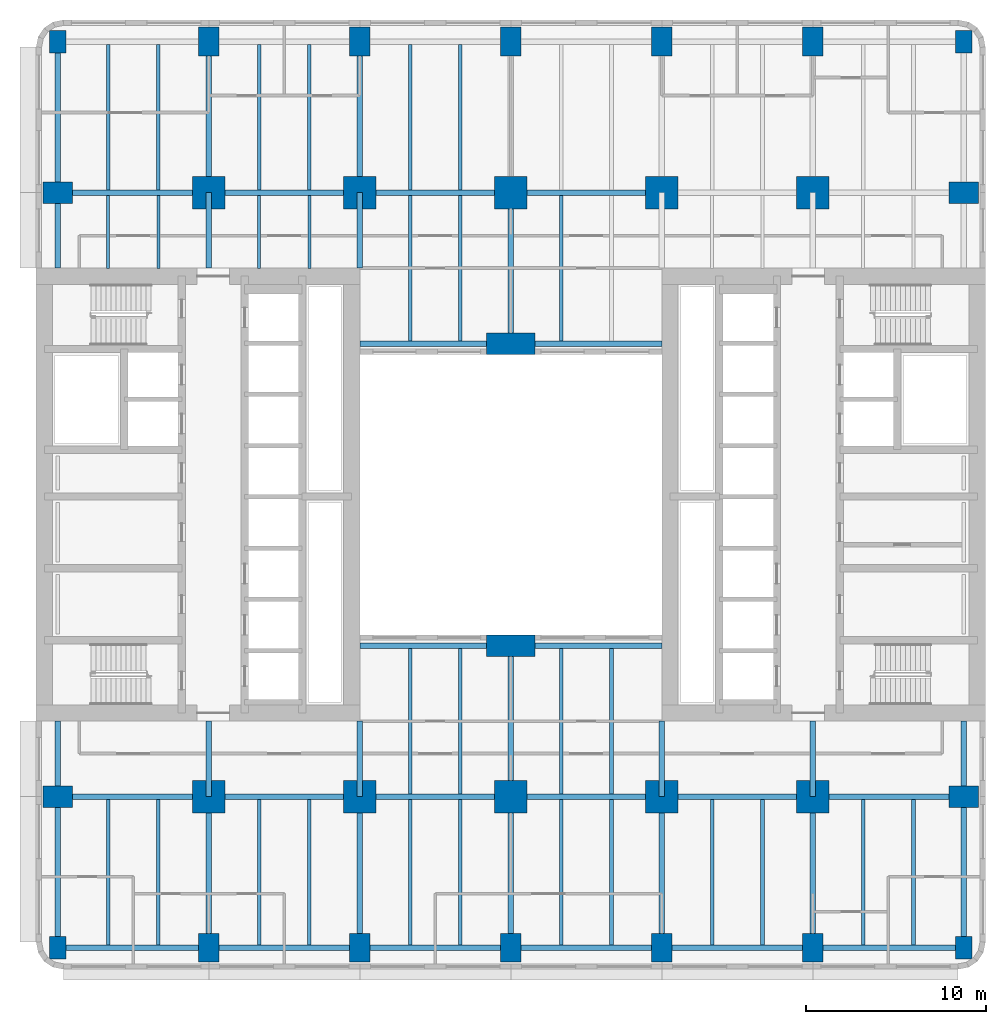
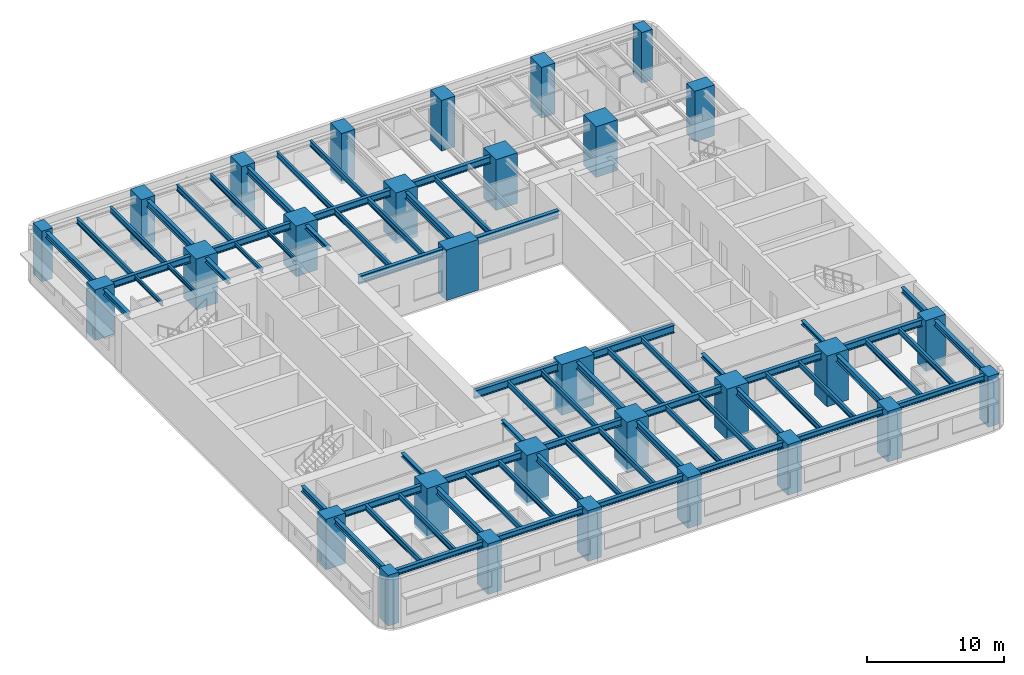
# One storey, part 1 of 12: 70 beams, 30 columns.
"""IFC4 building model written with IfcOpenShell, lengths in metres."""

from ifc_helpers import new_model, si_unit, direction, frame, origin, origin_2d, place, context, subcontext, project, spatial, rectangle, i_section, extrude, material, material_profile, profile_set, type_object, element, save


model = new_model("IFC4")

# Units and contexts
model_context = context("Model", 3, precision=1e-05, world=origin(), true_north=direction((0.0, 1.0)))
body_context = subcontext(model_context, "Body", "Model", "MODEL_VIEW")
ifc_project = project(units=[si_unit("LENGTHUNIT", "METRE"), si_unit("AREAUNIT", "SQUARE_METRE"), si_unit("VOLUMEUNIT", "CUBIC_METRE"), si_unit("PLANEANGLEUNIT", "RADIAN"), si_unit("MASSUNIT", "GRAM", prefix="KILO")], contexts=[model_context])

# Site, building, storey
site_placement = place(None, origin())
site = spatial("IfcSite", under=ifc_project, at=site_placement, CompositionType="ELEMENT")
building_placement = place(site_placement, origin())
building = spatial("IfcBuilding", under=site, at=building_placement, Name="Claustro Exchange Tower", CompositionType="ELEMENT")
storey_placement = place(building_placement, frame((0.0, 0.0, 45.89990234375)))
storey = spatial("IfcBuildingStorey", under=building, at=storey_placement, Name="L10", CompositionType="ELEMENT", Elevation=45.89990234375)

# Columns
ifc_material_1 = material(Name="Concrete HA-70 (C70/85)", Category="concrete")
ifc_material_profile_1 = material_profile(ifc_material_1, rectangle(XDim=1.800048828125, YDim=1.800048828125, at=origin_2d()), Name="RC 1800x1800")
ifc_profile_set_1 = profile_set([ifc_material_profile_1], Name="Concrete HA-70 (C70/85)")
column_type_1 = type_object("IfcColumnType", Name="C14 RC 1800x1800 HA-70 column", PredefinedType="COLUMN", material=ifc_profile_set_1)
for number, where, z_axis, x_axis, name in (
    (1, (8.39990234375, 8.39990234375, 0.0), (0.0, 0.0, 1.0), (1.0, 0.0, 0.0), "Column C14 2/B L10"),
    (2, (8.39990234375, 42.0, 0.0), (0.0, 0.0, 1.0), (1.0, 0.0, 0.0), "Column C14 2/F L10"),
    (3, (16.800048828125, 8.39990234375, 0.0), (0.0, 0.0, 1.0), (1.0, 0.0, 0.0), "Column C14 3/B L10"),
    (4, (16.800048828125, 42.0, 0.0), (0.0, 0.0, 1.0), (1.0, 0.0, 0.0), "Column C14 3/F L10"),
    (5, (25.199951171875, 8.39990234375, 0.0), (0.0, 0.0, 1.0), (1.0, 0.0, 0.0), "Column C14 4/B L10"),
    (6, (25.199951171875, 42.0, 0.0), (0.0, 0.0, 1.0), (1.0, 0.0, 0.0), "Column C14 4/F L10"),
    (7, (33.60009765625, 8.39990234375, 0.0), (0.0, 0.0, 1.0), (1.0, 0.0, 0.0), "Column C14 5/B L10"),
    (8, (33.60009765625, 42.0, 0.0), (0.0, 0.0, 1.0), (1.0, 0.0, 0.0), "Column C14 5/F L10"),
    (9, (42.0, 8.39990234375, 0.0), (0.0, 0.0, 1.0), (1.0, 0.0, 0.0), "Column C14 6/B L10"),
    (10, (42.0, 42.0, 0.0), (0.0, 0.0, 1.0), (1.0, 0.0, 0.0), "Column C14 6/F L10"),
):
    element("IfcColumn", number, at=place(storey_placement, frame(where, z_axis=z_axis, x_axis=x_axis)), inside=storey, type_object=column_type_1, Name=name, PredefinedType="COLUMN", context=body_context, shape_type="SweptSolid", body=[
        extrude(rectangle(XDim=1.800048828125, YDim=1.800048828125, at=origin_2d()), origin(), (0.0, 0.0, 1.0), 4.5),
    ])
ifc_material_2 = material(Name="Concrete HA-70 (C70/85)", Category="concrete")
ifc_material_profile_2 = material_profile(ifc_material_2, rectangle(XDim=1.199951171875, YDim=1.64990234375, at=origin_2d()), Name="RC 1200x1650")
ifc_profile_set_2 = profile_set([ifc_material_profile_2], Name="Concrete HA-70 (C70/85)")
column_type_2 = type_object("IfcColumnType", Name="C19 RC 1200x1650 HA-70 perimeter column", PredefinedType="COLUMN", material=ifc_profile_set_2)
for number, where, z_axis, x_axis, name in (
    (11, (0.0, 8.39990234375, 0.0), (0.0, 0.0, 1.0), (0.0, 1.0, 0.0), "Column C19 1/B L10"),
    (12, (0.0, 42.0, 0.0), (0.0, 0.0, 1.0), (0.0, 1.0, 0.0), "Column C19 1/F L10"),
    (13, (50.39990234375, 8.39990234375, 0.0), (0.0, 0.0, 1.0), (0.0, 1.0, 0.0), "Column C19 7/B L10"),
    (14, (50.39990234375, 42.0, 0.0), (0.0, 0.0, 1.0), (0.0, 1.0, 0.0), "Column C19 7/F L10"),
):
    element("IfcColumn", number, at=place(storey_placement, frame(where, z_axis=z_axis, x_axis=x_axis)), inside=storey, type_object=column_type_2, Name=name, PredefinedType="COLUMN", context=body_context, shape_type="SweptSolid", body=[
        extrude(rectangle(XDim=1.199951171875, YDim=1.64990234375, at=origin_2d()), origin(), (0.0, 0.0, 1.0), 4.5),
    ])
ifc_material_3 = material(Name="Concrete HA-70 (C70/85)", Category="concrete")
ifc_material_profile_3 = material_profile(ifc_material_3, rectangle(XDim=1.14990234375, YDim=1.60009765625, at=origin_2d()), Name="RC 1150x1600")
ifc_profile_set_3 = profile_set([ifc_material_profile_3], Name="Concrete HA-70 (C70/85)")
column_type_3 = type_object("IfcColumnType", Name="C20 RC 1150x1600 HA-70 perimeter column", PredefinedType="COLUMN", material=ifc_profile_set_3)
for number, where, z_axis, x_axis, name in (
    (15, (8.39990234375, 0.0, 0.0), (0.0, 0.0, 1.0), (1.0, 0.0, 0.0), "Column C20 2/A L10"),
    (16, (8.39990234375, 50.39990234375, 0.0), (0.0, 0.0, 1.0), (1.0, 0.0, 0.0), "Column C20 2/G L10"),
    (17, (16.800048828125, 0.0, 0.0), (0.0, 0.0, 1.0), (1.0, 0.0, 0.0), "Column C20 3/A L10"),
    (18, (16.800048828125, 50.39990234375, 0.0), (0.0, 0.0, 1.0), (1.0, 0.0, 0.0), "Column C20 3/G L10"),
    (19, (25.199951171875, 0.0, 0.0), (0.0, 0.0, 1.0), (1.0, 0.0, 0.0), "Column C20 4/A L10"),
    (20, (25.199951171875, 50.39990234375, 0.0), (0.0, 0.0, 1.0), (1.0, 0.0, 0.0), "Column C20 4/G L10"),
    (21, (33.60009765625, 0.0, 0.0), (0.0, 0.0, 1.0), (1.0, 0.0, 0.0), "Column C20 5/A L10"),
    (22, (33.60009765625, 50.39990234375, 0.0), (0.0, 0.0, 1.0), (1.0, 0.0, 0.0), "Column C20 5/G L10"),
    (23, (42.0, 0.0, 0.0), (0.0, 0.0, 1.0), (1.0, 0.0, 0.0), "Column C20 6/A L10"),
    (24, (42.0, 50.39990234375, 0.0), (0.0, 0.0, 1.0), (1.0, 0.0, 0.0), "Column C20 6/G L10"),
):
    element("IfcColumn", number, at=place(storey_placement, frame(where, z_axis=z_axis, x_axis=x_axis)), inside=storey, type_object=column_type_3, Name=name, PredefinedType="COLUMN", context=body_context, shape_type="SweptSolid", body=[
        extrude(rectangle(XDim=1.14990234375, YDim=1.60009765625, at=origin_2d()), origin(), (0.0, 0.0, 1.0), 4.5),
    ])
ifc_material_4 = material(Name="Concrete HA-70 (C70/85)", Category="concrete")
ifc_material_profile_4 = material_profile(ifc_material_4, rectangle(XDim=2.699951171875, YDim=1.199951171875, at=origin_2d()), Name="RC 2700x1200")
ifc_profile_set_4 = profile_set([ifc_material_profile_4], Name="Concrete HA-70 (C70/85)")
column_type_4 = type_object("IfcColumnType", Name="C30 RC 2700x1200 HA-70 light well column", PredefinedType="COLUMN", material=ifc_profile_set_4)
for number, where, z_axis, x_axis, name in (
    (25, (25.199951171875, 16.800048828125, 0.0), (0.0, 0.0, 1.0), (1.0, 0.0, 0.0), "Column C30 4/C L10"),
    (26, (25.199951171875, 33.60009765625, 0.0), (0.0, 0.0, 1.0), (1.0, 0.0, 0.0), "Column C30 4/E L10"),
):
    element("IfcColumn", number, at=place(storey_placement, frame(where, z_axis=z_axis, x_axis=x_axis)), inside=storey, type_object=column_type_4, Name=name, PredefinedType="COLUMN", context=body_context, shape_type="SweptSolid", body=[
        extrude(rectangle(XDim=2.699951171875, YDim=1.199951171875, at=origin_2d()), origin(), (0.0, 0.0, 1.0), 4.5),
    ])
ifc_material_5 = material(Name="Concrete HA-70 (C70/85)", Category="concrete")
ifc_material_profile_5 = material_profile(ifc_material_5, rectangle(XDim=0.89990234375, YDim=1.25, at=origin_2d()), Name="RC 900x1250")
ifc_profile_set_5 = profile_set([ifc_material_profile_5], Name="Concrete HA-70 (C70/85)")
column_type_5 = type_object("IfcColumnType", Name="C35 RC 900x1250 HA-70 corner column", PredefinedType="COLUMN", material=ifc_profile_set_5)
for number, where, z_axis, x_axis, name in (
    (27, (0.0, 0.0, 0.0), (0.0, 0.0, 1.0), (1.0, 0.0, 0.0), "Column C35 1/A L10"),
    (28, (0.0, 50.39990234375, 0.0), (0.0, 0.0, 1.0), (1.0, 0.0, 0.0), "Column C35 1/G L10"),
    (29, (50.39990234375, 0.0, 0.0), (0.0, 0.0, 1.0), (1.0, 0.0, 0.0), "Column C35 7/A L10"),
    (30, (50.39990234375, 50.39990234375, 0.0), (0.0, 0.0, 1.0), (1.0, 0.0, 0.0), "Column C35 7/G L10"),
):
    element("IfcColumn", number, at=place(storey_placement, frame(where, z_axis=z_axis, x_axis=x_axis)), inside=storey, type_object=column_type_5, Name=name, PredefinedType="COLUMN", context=body_context, shape_type="SweptSolid", body=[
        extrude(rectangle(XDim=0.89990234375, YDim=1.25, at=origin_2d()), origin(), (0.0, 0.0, 1.0), 4.5),
    ])

# Beams
ifc_material_6 = material(Name="Steel S355", Category="steel")
ifc_material_profile_6 = material_profile(ifc_material_6, i_section(OverallWidth=0.300048828125, OverallDepth=0.60009765625, WebThickness=0.015380859375, FlangeThickness=0.030029296875, FilletRadius=0.027099609375, at=origin_2d()), Name="HE 600 B")
ifc_profile_set_6 = profile_set([ifc_material_profile_6], Name="Steel S355")
beam_type_1 = type_object("IfcBeamType", Name="B1 HE 600 B floor girder", PredefinedType="BEAM", material=ifc_profile_set_6)
for number, where, z_axis, x_axis, name in (
    (31, (8.39990234375, 0.0, 4.0400390625), (0.0, 1.0, 0.0), (-1.0, 0.0, 0.0), "Beam B1 L11"),
    (32, (8.39990234375, 42.0, 4.0400390625), (0.0, 1.0, 0.0), (-1.0, 0.0, 0.0), "Beam B1 L11"),
    (33, (16.800048828125, 0.0, 4.0400390625), (0.0, 1.0, 0.0), (-1.0, 0.0, 0.0), "Beam B1 L11"),
    (34, (16.800048828125, 42.0, 4.0400390625), (0.0, 1.0, 0.0), (-1.0, 0.0, 0.0), "Beam B1 L11"),
    (35, (25.199951171875, 0.0, 4.0400390625), (0.0, 1.0, 0.0), (-1.0, 0.0, 0.0), "Beam B1 L11"),
):
    element("IfcBeam", number, at=place(storey_placement, frame(where, z_axis=z_axis, x_axis=x_axis)), inside=storey, type_object=beam_type_1, Name=name, PredefinedType="BEAM", context=body_context, shape_type="SweptSolid", body=[
        extrude(i_section(OverallWidth=0.300048828125, OverallDepth=0.60009765625, WebThickness=0.015380859375, FlangeThickness=0.030029296875, FilletRadius=0.027099609375, at=origin_2d()), origin(), (0.0, 0.0, 1.0), 8.39990234375),
    ])
beam_1_placement = place(storey_placement, frame((25.199951171875, 8.39990234375, 4.0400390625), z_axis=(0.0, 1.0, 0.0), x_axis=(-1.0, 0.0, 0.0)))
element("IfcBeam", 36, at=beam_1_placement, inside=storey, type_object=beam_type_1, Name="Beam B1 L11", PredefinedType="BEAM", context=body_context, shape_type="SweptSolid", body=[
    extrude(i_section(OverallWidth=0.300048828125, OverallDepth=0.60009765625, WebThickness=0.015380859375, FlangeThickness=0.030029296875, FilletRadius=0.027099609375, at=origin_2d()), origin(), (0.0, 0.0, 1.0), 8.400146484375),
])
for number, where, z_axis, x_axis, name in (
    (37, (25.199951171875, 33.60009765625, 4.0400390625), (0.0, 1.0, 0.0), (-1.0, 0.0, 0.0), "Beam B1 L11"),
    (38, (33.60009765625, 0.0, 4.0400390625), (0.0, 1.0, 0.0), (-1.0, 0.0, 0.0), "Beam B1 L11"),
    (39, (42.0, 0.0, 4.0400390625), (0.0, 1.0, 0.0), (-1.0, 0.0, 0.0), "Beam B1 L11"),
    (40, (0.0, 8.39990234375, 4.0400390625), (1.0, 0.0, 0.0), (0.0, 1.0, 0.0), "Beam B1 L11"),
):
    element("IfcBeam", number, at=place(storey_placement, frame(where, z_axis=z_axis, x_axis=x_axis)), inside=storey, type_object=beam_type_1, Name=name, PredefinedType="BEAM", context=body_context, shape_type="SweptSolid", body=[
        extrude(i_section(OverallWidth=0.300048828125, OverallDepth=0.60009765625, WebThickness=0.015380859375, FlangeThickness=0.030029296875, FilletRadius=0.027099609375, at=origin_2d()), origin(), (0.0, 0.0, 1.0), 8.39990234375),
    ])
beam_2_placement = place(storey_placement, frame((8.39990234375, 8.39990234375, 4.0400390625), z_axis=(1.0, 0.0, 0.0), x_axis=(0.0, 1.0, 0.0)))
element("IfcBeam", 41, at=beam_2_placement, inside=storey, type_object=beam_type_1, Name="Beam B1 L11", PredefinedType="BEAM", context=body_context, shape_type="SweptSolid", body=[
    extrude(i_section(OverallWidth=0.300048828125, OverallDepth=0.60009765625, WebThickness=0.015380859375, FlangeThickness=0.030029296875, FilletRadius=0.027099609375, at=origin_2d()), origin(), (0.0, 0.0, 1.0), 8.400146484375),
])
beam_3_placement = place(storey_placement, frame((16.800048828125, 8.39990234375, 4.0400390625), z_axis=(1.0, 0.0, 0.0), x_axis=(0.0, 1.0, 0.0)))
element("IfcBeam", 42, at=beam_3_placement, inside=storey, type_object=beam_type_1, Name="Beam B1 L11", PredefinedType="BEAM", context=body_context, shape_type="SweptSolid", body=[
    extrude(i_section(OverallWidth=0.300048828125, OverallDepth=0.60009765625, WebThickness=0.015380859375, FlangeThickness=0.030029296875, FilletRadius=0.027099609375, at=origin_2d()), origin(), (0.0, 0.0, 1.0), 8.39990234375),
])
beam_4_placement = place(storey_placement, frame((25.199951171875, 8.39990234375, 4.0400390625), z_axis=(1.0, 0.0, 0.0), x_axis=(0.0, 1.0, 0.0)))
element("IfcBeam", 43, at=beam_4_placement, inside=storey, type_object=beam_type_1, Name="Beam B1 L11", PredefinedType="BEAM", context=body_context, shape_type="SweptSolid", body=[
    extrude(i_section(OverallWidth=0.300048828125, OverallDepth=0.60009765625, WebThickness=0.015380859375, FlangeThickness=0.030029296875, FilletRadius=0.027099609375, at=origin_2d()), origin(), (0.0, 0.0, 1.0), 8.400146484375),
])
for number, where, z_axis, x_axis, name in (
    (44, (33.60009765625, 8.39990234375, 4.0400390625), (1.0, 0.0, 0.0), (0.0, 1.0, 0.0), "Beam B1 L11"),
    (45, (42.0, 8.39990234375, 4.0400390625), (1.0, 0.0, 0.0), (0.0, 1.0, 0.0), "Beam B1 L11"),
    (46, (0.0, 42.0, 4.0400390625), (1.0, 0.0, 0.0), (0.0, 1.0, 0.0), "Beam B1 L11"),
):
    element("IfcBeam", number, at=place(storey_placement, frame(where, z_axis=z_axis, x_axis=x_axis)), inside=storey, type_object=beam_type_1, Name=name, PredefinedType="BEAM", context=body_context, shape_type="SweptSolid", body=[
        extrude(i_section(OverallWidth=0.300048828125, OverallDepth=0.60009765625, WebThickness=0.015380859375, FlangeThickness=0.030029296875, FilletRadius=0.027099609375, at=origin_2d()), origin(), (0.0, 0.0, 1.0), 8.39990234375),
    ])
beam_5_placement = place(storey_placement, frame((8.39990234375, 42.0, 4.0400390625), z_axis=(1.0, 0.0, 0.0), x_axis=(0.0, 1.0, 0.0)))
element("IfcBeam", 47, at=beam_5_placement, inside=storey, type_object=beam_type_1, Name="Beam B1 L11", PredefinedType="BEAM", context=body_context, shape_type="SweptSolid", body=[
    extrude(i_section(OverallWidth=0.300048828125, OverallDepth=0.60009765625, WebThickness=0.015380859375, FlangeThickness=0.030029296875, FilletRadius=0.027099609375, at=origin_2d()), origin(), (0.0, 0.0, 1.0), 8.400146484375),
])
beam_6_placement = place(storey_placement, frame((16.800048828125, 42.0, 4.0400390625), z_axis=(1.0, 0.0, 0.0), x_axis=(0.0, 1.0, 0.0)))
element("IfcBeam", 48, at=beam_6_placement, inside=storey, type_object=beam_type_1, Name="Beam B1 L11", PredefinedType="BEAM", context=body_context, shape_type="SweptSolid", body=[
    extrude(i_section(OverallWidth=0.300048828125, OverallDepth=0.60009765625, WebThickness=0.015380859375, FlangeThickness=0.030029296875, FilletRadius=0.027099609375, at=origin_2d()), origin(), (0.0, 0.0, 1.0), 8.39990234375),
])
beam_7_placement = place(storey_placement, frame((25.199951171875, 42.0, 4.0400390625), z_axis=(1.0, 0.0, 0.0), x_axis=(0.0, 1.0, 0.0)))
element("IfcBeam", 49, at=beam_7_placement, inside=storey, type_object=beam_type_1, Name="Beam B1 L11", PredefinedType="BEAM", context=body_context, shape_type="SweptSolid", body=[
    extrude(i_section(OverallWidth=0.300048828125, OverallDepth=0.60009765625, WebThickness=0.015380859375, FlangeThickness=0.030029296875, FilletRadius=0.027099609375, at=origin_2d()), origin(), (0.0, 0.0, 1.0), 8.400146484375),
])
ifc_material_7 = material(Name="Steel S355", Category="steel")
ifc_material_profile_7 = material_profile(ifc_material_7, i_section(OverallWidth=0.300048828125, OverallDepth=0.68994140625, WebThickness=0.014404296875, FlangeThickness=0.027099609375, FilletRadius=0.027099609375, at=origin_2d()), Name="HE 700 A")
ifc_profile_set_7 = profile_set([ifc_material_profile_7], Name="Steel S355")
beam_type_2 = type_object("IfcBeamType", Name="B13 HE 700 A light well edge girder", PredefinedType="BEAM", material=ifc_profile_set_7)
beam_8_placement = place(storey_placement, frame((16.800048828125, 16.800048828125, 3.9951171875), z_axis=(1.0, 0.0, 0.0), x_axis=(0.0, 1.0, 0.0)))
element("IfcBeam", 50, at=beam_8_placement, inside=storey, type_object=beam_type_2, Name="Beam B13 L11", PredefinedType="BEAM", context=body_context, shape_type="SweptSolid", body=[
    extrude(i_section(OverallWidth=0.300048828125, OverallDepth=0.68994140625, WebThickness=0.014404296875, FlangeThickness=0.027099609375, FilletRadius=0.027099609375, at=origin_2d()), origin(), (0.0, 0.0, 1.0), 8.39990234375),
])
beam_9_placement = place(storey_placement, frame((25.199951171875, 16.800048828125, 3.9951171875), z_axis=(1.0, 0.0, 0.0), x_axis=(0.0, 1.0, 0.0)))
element("IfcBeam", 51, at=beam_9_placement, inside=storey, type_object=beam_type_2, Name="Beam B13 L11", PredefinedType="BEAM", context=body_context, shape_type="SweptSolid", body=[
    extrude(i_section(OverallWidth=0.300048828125, OverallDepth=0.68994140625, WebThickness=0.014404296875, FlangeThickness=0.027099609375, FilletRadius=0.027099609375, at=origin_2d()), origin(), (0.0, 0.0, 1.0), 8.400146484375),
])
beam_10_placement = place(storey_placement, frame((16.800048828125, 33.60009765625, 3.9951171875), z_axis=(1.0, 0.0, 0.0), x_axis=(0.0, 1.0, 0.0)))
element("IfcBeam", 52, at=beam_10_placement, inside=storey, type_object=beam_type_2, Name="Beam B13 L11", PredefinedType="BEAM", context=body_context, shape_type="SweptSolid", body=[
    extrude(i_section(OverallWidth=0.300048828125, OverallDepth=0.68994140625, WebThickness=0.014404296875, FlangeThickness=0.027099609375, FilletRadius=0.027099609375, at=origin_2d()), origin(), (0.0, 0.0, 1.0), 8.39990234375),
])
beam_11_placement = place(storey_placement, frame((25.199951171875, 33.60009765625, 3.9951171875), z_axis=(1.0, 0.0, 0.0), x_axis=(0.0, 1.0, 0.0)))
element("IfcBeam", 53, at=beam_11_placement, inside=storey, type_object=beam_type_2, Name="Beam B13 L11", PredefinedType="BEAM", context=body_context, shape_type="SweptSolid", body=[
    extrude(i_section(OverallWidth=0.300048828125, OverallDepth=0.68994140625, WebThickness=0.014404296875, FlangeThickness=0.027099609375, FilletRadius=0.027099609375, at=origin_2d()), origin(), (0.0, 0.0, 1.0), 8.400146484375),
])
ifc_material_8 = material(Name="Steel S355", Category="steel")
ifc_material_profile_8 = material_profile(ifc_material_8, i_section(OverallWidth=0.169921875, OverallDepth=0.360107421875, WebThickness=0.008056640625, FlangeThickness=0.0126953125, FilletRadius=0.01806640625, at=origin_2d()), Name="IPE 360")
ifc_profile_set_8 = profile_set([ifc_material_profile_8], Name="Steel S355")
beam_type_3 = type_object("IfcBeamType", Name="B16 IPE 360 short-span beam", PredefinedType="BEAM", material=ifc_profile_set_8)
for number, where, z_axis, x_axis, name in (
    (54, (2.800048828125, 37.7900390625, 4.16015625), (0.0, 1.0, 0.0), (-1.0, 0.0, 0.0), "Beam B16 L11"),
    (55, (5.60009765625, 37.7900390625, 4.16015625), (0.0, 1.0, 0.0), (-1.0, 0.0, 0.0), "Beam B16 L11"),
    (56, (11.199951171875, 37.7900390625, 4.16015625), (0.0, 1.0, 0.0), (-1.0, 0.0, 0.0), "Beam B16 L11"),
    (57, (14.0, 37.7900390625, 4.16015625), (0.0, 1.0, 0.0), (-1.0, 0.0, 0.0), "Beam B16 L11"),
):
    element("IfcBeam", number, at=place(storey_placement, frame(where, z_axis=z_axis, x_axis=x_axis)), inside=storey, type_object=beam_type_3, Name=name, PredefinedType="BEAM", context=body_context, shape_type="SweptSolid", body=[
        extrude(i_section(OverallWidth=0.169921875, OverallDepth=0.360107421875, WebThickness=0.008056640625, FlangeThickness=0.0126953125, FilletRadius=0.01806640625, at=origin_2d()), origin(), (0.0, 0.0, 1.0), 4.06005859375),
    ])
ifc_material_9 = material(Name="Steel S355", Category="steel")
ifc_material_profile_9 = material_profile(ifc_material_9, i_section(OverallWidth=0.199951171875, OverallDepth=0.5, WebThickness=0.01025390625, FlangeThickness=0.01611328125, FilletRadius=0.02099609375, at=origin_2d()), Name="IPE 500")
ifc_profile_set_9 = profile_set([ifc_material_profile_9], Name="Steel S355")
beam_type_4 = type_object("IfcBeamType", Name="B2 IPE 500 secondary beam", PredefinedType="BEAM", material=ifc_profile_set_9)
for number, where, z_axis, x_axis, name in (
    (58, (2.800048828125, 0.14990234375, 4.090087890625), (0.0, 1.0, 0.0), (-1.0, 0.0, 0.0), "Beam B2 L11"),
    (59, (5.60009765625, 0.14990234375, 4.090087890625), (0.0, 1.0, 0.0), (-1.0, 0.0, 0.0), "Beam B2 L11"),
    (60, (2.800048828125, 42.14990234375, 4.090087890625), (0.0, 1.0, 0.0), (-1.0, 0.0, 0.0), "Beam B2 L11"),
    (61, (5.60009765625, 42.14990234375, 4.090087890625), (0.0, 1.0, 0.0), (-1.0, 0.0, 0.0), "Beam B2 L11"),
    (62, (11.199951171875, 0.14990234375, 4.090087890625), (0.0, 1.0, 0.0), (-1.0, 0.0, 0.0), "Beam B2 L11"),
    (63, (14.0, 0.14990234375, 4.090087890625), (0.0, 1.0, 0.0), (-1.0, 0.0, 0.0), "Beam B2 L11"),
    (64, (11.199951171875, 42.14990234375, 4.090087890625), (0.0, 1.0, 0.0), (-1.0, 0.0, 0.0), "Beam B2 L11"),
    (65, (14.0, 42.14990234375, 4.090087890625), (0.0, 1.0, 0.0), (-1.0, 0.0, 0.0), "Beam B2 L11"),
    (66, (19.60009765625, 0.14990234375, 4.090087890625), (0.0, 1.0, 0.0), (-1.0, 0.0, 0.0), "Beam B2 L11"),
    (67, (22.39990234375, 0.14990234375, 4.090087890625), (0.0, 1.0, 0.0), (-1.0, 0.0, 0.0), "Beam B2 L11"),
):
    element("IfcBeam", number, at=place(storey_placement, frame(where, z_axis=z_axis, x_axis=x_axis)), inside=storey, type_object=beam_type_4, Name=name, PredefinedType="BEAM", context=body_context, shape_type="SweptSolid", body=[
        extrude(i_section(OverallWidth=0.199951171875, OverallDepth=0.5, WebThickness=0.01025390625, FlangeThickness=0.01611328125, FilletRadius=0.02099609375, at=origin_2d()), origin(), (0.0, 0.0, 1.0), 8.10009765625),
    ])
for number, where, z_axis, x_axis, name in (
    (68, (19.60009765625, 8.550048828125, 4.090087890625), (0.0, 1.0, 0.0), (-1.0, 0.0, 0.0), "Beam B2 L11"),
    (69, (22.39990234375, 8.550048828125, 4.090087890625), (0.0, 1.0, 0.0), (-1.0, 0.0, 0.0), "Beam B2 L11"),
):
    element("IfcBeam", number, at=place(storey_placement, frame(where, z_axis=z_axis, x_axis=x_axis)), inside=storey, type_object=beam_type_4, Name=name, PredefinedType="BEAM", context=body_context, shape_type="SweptSolid", body=[
        extrude(i_section(OverallWidth=0.199951171875, OverallDepth=0.5, WebThickness=0.01025390625, FlangeThickness=0.01611328125, FilletRadius=0.02099609375, at=origin_2d()), origin(), (0.0, 0.0, 1.0), 8.099853515625),
    ])
for number, where, z_axis, x_axis, name in (
    (70, (19.60009765625, 33.75, 4.090087890625), (0.0, 1.0, 0.0), (-1.0, 0.0, 0.0), "Beam B2 L11"),
    (71, (22.39990234375, 33.75, 4.090087890625), (0.0, 1.0, 0.0), (-1.0, 0.0, 0.0), "Beam B2 L11"),
    (72, (19.60009765625, 42.14990234375, 4.090087890625), (0.0, 1.0, 0.0), (-1.0, 0.0, 0.0), "Beam B2 L11"),
    (73, (22.39990234375, 42.14990234375, 4.090087890625), (0.0, 1.0, 0.0), (-1.0, 0.0, 0.0), "Beam B2 L11"),
    (74, (28.0, 0.14990234375, 4.090087890625), (0.0, 1.0, 0.0), (-1.0, 0.0, 0.0), "Beam B2 L11"),
    (75, (30.800048828125, 0.14990234375, 4.090087890625), (0.0, 1.0, 0.0), (-1.0, 0.0, 0.0), "Beam B2 L11"),
):
    element("IfcBeam", number, at=place(storey_placement, frame(where, z_axis=z_axis, x_axis=x_axis)), inside=storey, type_object=beam_type_4, Name=name, PredefinedType="BEAM", context=body_context, shape_type="SweptSolid", body=[
        extrude(i_section(OverallWidth=0.199951171875, OverallDepth=0.5, WebThickness=0.01025390625, FlangeThickness=0.01611328125, FilletRadius=0.02099609375, at=origin_2d()), origin(), (0.0, 0.0, 1.0), 8.10009765625),
    ])
for number, where, z_axis, x_axis, name in (
    (76, (28.0, 8.550048828125, 4.090087890625), (0.0, 1.0, 0.0), (-1.0, 0.0, 0.0), "Beam B2 L11"),
    (77, (30.800048828125, 8.550048828125, 4.090087890625), (0.0, 1.0, 0.0), (-1.0, 0.0, 0.0), "Beam B2 L11"),
):
    element("IfcBeam", number, at=place(storey_placement, frame(where, z_axis=z_axis, x_axis=x_axis)), inside=storey, type_object=beam_type_4, Name=name, PredefinedType="BEAM", context=body_context, shape_type="SweptSolid", body=[
        extrude(i_section(OverallWidth=0.199951171875, OverallDepth=0.5, WebThickness=0.01025390625, FlangeThickness=0.01611328125, FilletRadius=0.02099609375, at=origin_2d()), origin(), (0.0, 0.0, 1.0), 8.099853515625),
    ])
for number, where, z_axis, x_axis, name in (
    (78, (28.0, 33.75, 4.090087890625), (0.0, 1.0, 0.0), (-1.0, 0.0, 0.0), "Beam B2 L11"),
    (79, (36.39990234375, 0.14990234375, 4.090087890625), (0.0, 1.0, 0.0), (-1.0, 0.0, 0.0), "Beam B2 L11"),
    (80, (39.199951171875, 0.14990234375, 4.090087890625), (0.0, 1.0, 0.0), (-1.0, 0.0, 0.0), "Beam B2 L11"),
    (81, (44.800048828125, 0.14990234375, 4.090087890625), (0.0, 1.0, 0.0), (-1.0, 0.0, 0.0), "Beam B2 L11"),
    (82, (47.60009765625, 0.14990234375, 4.090087890625), (0.0, 1.0, 0.0), (-1.0, 0.0, 0.0), "Beam B2 L11"),
):
    element("IfcBeam", number, at=place(storey_placement, frame(where, z_axis=z_axis, x_axis=x_axis)), inside=storey, type_object=beam_type_4, Name=name, PredefinedType="BEAM", context=body_context, shape_type="SweptSolid", body=[
        extrude(i_section(OverallWidth=0.199951171875, OverallDepth=0.5, WebThickness=0.01025390625, FlangeThickness=0.01611328125, FilletRadius=0.02099609375, at=origin_2d()), origin(), (0.0, 0.0, 1.0), 8.10009765625),
    ])
ifc_material_10 = material(Name="Steel S355", Category="steel")
ifc_material_profile_10 = material_profile(ifc_material_10, i_section(OverallWidth=0.300048828125, OverallDepth=0.360107421875, WebThickness=0.012451171875, FlangeThickness=0.0224609375, FilletRadius=0.027099609375, at=origin_2d()), Name="HE 360 B")
ifc_profile_set_10 = profile_set([ifc_material_profile_10], Name="Steel S355")
beam_type_5 = type_object("IfcBeamType", Name="B29 HE 360 B column to core link beam", PredefinedType="BEAM", material=ifc_profile_set_10)
beam_12_placement = place(storey_placement, frame((8.39990234375, 8.39990234375, 4.16015625), z_axis=(0.0, 1.0, 0.0), x_axis=(-1.0, 0.0, 0.0)))
element("IfcBeam", 83, at=beam_12_placement, inside=storey, type_object=beam_type_5, Name="Beam B29 L11", PredefinedType="BEAM", context=body_context, shape_type="SweptSolid", body=[
    extrude(i_section(OverallWidth=0.300048828125, OverallDepth=0.360107421875, WebThickness=0.012451171875, FlangeThickness=0.0224609375, FilletRadius=0.027099609375, at=origin_2d()), origin(), (0.0, 0.0, 1.0), 4.2001953125),
])
beam_13_placement = place(storey_placement, frame((8.39990234375, 37.800048828125, 4.16015625), z_axis=(0.0, 1.0, 0.0), x_axis=(-1.0, 0.0, 0.0)))
element("IfcBeam", 84, at=beam_13_placement, inside=storey, type_object=beam_type_5, Name="Beam B29 L11", PredefinedType="BEAM", context=body_context, shape_type="SweptSolid", body=[
    extrude(i_section(OverallWidth=0.300048828125, OverallDepth=0.360107421875, WebThickness=0.012451171875, FlangeThickness=0.0224609375, FilletRadius=0.027099609375, at=origin_2d()), origin(), (0.0, 0.0, 1.0), 4.199951171875),
])
beam_14_placement = place(storey_placement, frame((16.800048828125, 8.39990234375, 4.16015625), z_axis=(0.0, 1.0, 0.0), x_axis=(-1.0, 0.0, 0.0)))
element("IfcBeam", 85, at=beam_14_placement, inside=storey, type_object=beam_type_5, Name="Beam B29 L11", PredefinedType="BEAM", context=body_context, shape_type="SweptSolid", body=[
    extrude(i_section(OverallWidth=0.300048828125, OverallDepth=0.360107421875, WebThickness=0.012451171875, FlangeThickness=0.0224609375, FilletRadius=0.027099609375, at=origin_2d()), origin(), (0.0, 0.0, 1.0), 4.2001953125),
])
beam_15_placement = place(storey_placement, frame((16.800048828125, 37.800048828125, 4.16015625), z_axis=(0.0, 1.0, 0.0), x_axis=(-1.0, 0.0, 0.0)))
element("IfcBeam", 86, at=beam_15_placement, inside=storey, type_object=beam_type_5, Name="Beam B29 L11", PredefinedType="BEAM", context=body_context, shape_type="SweptSolid", body=[
    extrude(i_section(OverallWidth=0.300048828125, OverallDepth=0.360107421875, WebThickness=0.012451171875, FlangeThickness=0.0224609375, FilletRadius=0.027099609375, at=origin_2d()), origin(), (0.0, 0.0, 1.0), 4.199951171875),
])
for number, where, z_axis, x_axis, name in (
    (87, (33.60009765625, 8.39990234375, 4.16015625), (0.0, 1.0, 0.0), (-1.0, 0.0, 0.0), "Beam B29 L11"),
    (88, (42.0, 8.39990234375, 4.16015625), (0.0, 1.0, 0.0), (-1.0, 0.0, 0.0), "Beam B29 L11"),
):
    element("IfcBeam", number, at=place(storey_placement, frame(where, z_axis=z_axis, x_axis=x_axis)), inside=storey, type_object=beam_type_5, Name=name, PredefinedType="BEAM", context=body_context, shape_type="SweptSolid", body=[
        extrude(i_section(OverallWidth=0.300048828125, OverallDepth=0.360107421875, WebThickness=0.012451171875, FlangeThickness=0.0224609375, FilletRadius=0.027099609375, at=origin_2d()), origin(), (0.0, 0.0, 1.0), 4.2001953125),
    ])
ifc_material_11 = material(Name="Steel S355", Category="steel")
ifc_material_profile_11 = material_profile(ifc_material_11, i_section(OverallWidth=0.300048828125, OverallDepth=0.5, WebThickness=0.014404296875, FlangeThickness=0.028076171875, FilletRadius=0.027099609375, at=origin_2d()), Name="HE 500 B")
ifc_profile_set_11 = profile_set([ifc_material_profile_11], Name="Steel S355")
beam_type_6 = type_object("IfcBeamType", Name="B3 HE 500 B spandrel edge girder", PredefinedType="SPANDREL", material=ifc_profile_set_11)
beam_16_placement = place(storey_placement, frame((0.0, 0.0, 4.090087890625), z_axis=(0.0, 1.0, 0.0), x_axis=(-1.0, 0.0, 0.0)))
element("IfcBeam", 89, at=beam_16_placement, inside=storey, type_object=beam_type_6, Name="Beam B3 L11", PredefinedType="SPANDREL", context=body_context, shape_type="SweptSolid", body=[
    extrude(i_section(OverallWidth=0.300048828125, OverallDepth=0.5, WebThickness=0.014404296875, FlangeThickness=0.028076171875, FilletRadius=0.027099609375, at=origin_2d()), origin(), (0.0, 0.0, 1.0), 8.39990234375),
])
beam_17_placement = place(storey_placement, frame((0.0, 8.39990234375, 4.090087890625), z_axis=(0.0, 1.0, 0.0), x_axis=(-1.0, 0.0, 0.0)))
element("IfcBeam", 90, at=beam_17_placement, inside=storey, type_object=beam_type_6, Name="Beam B3 L11", PredefinedType="SPANDREL", context=body_context, shape_type="SweptSolid", body=[
    extrude(i_section(OverallWidth=0.300048828125, OverallDepth=0.5, WebThickness=0.014404296875, FlangeThickness=0.028076171875, FilletRadius=0.027099609375, at=origin_2d()), origin(), (0.0, 0.0, 1.0), 4.2001953125),
])
beam_18_placement = place(storey_placement, frame((0.0, 37.800048828125, 4.090087890625), z_axis=(0.0, 1.0, 0.0), x_axis=(-1.0, 0.0, 0.0)))
element("IfcBeam", 91, at=beam_18_placement, inside=storey, type_object=beam_type_6, Name="Beam B3 L11", PredefinedType="SPANDREL", context=body_context, shape_type="SweptSolid", body=[
    extrude(i_section(OverallWidth=0.300048828125, OverallDepth=0.5, WebThickness=0.014404296875, FlangeThickness=0.028076171875, FilletRadius=0.027099609375, at=origin_2d()), origin(), (0.0, 0.0, 1.0), 4.199951171875),
])
for number, where, z_axis, x_axis, name in (
    (92, (0.0, 42.0, 4.090087890625), (0.0, 1.0, 0.0), (-1.0, 0.0, 0.0), "Beam B3 L11"),
    (93, (50.39990234375, 0.0, 4.090087890625), (0.0, 1.0, 0.0), (-1.0, 0.0, 0.0), "Beam B3 L11"),
):
    element("IfcBeam", number, at=place(storey_placement, frame(where, z_axis=z_axis, x_axis=x_axis)), inside=storey, type_object=beam_type_6, Name=name, PredefinedType="SPANDREL", context=body_context, shape_type="SweptSolid", body=[
        extrude(i_section(OverallWidth=0.300048828125, OverallDepth=0.5, WebThickness=0.014404296875, FlangeThickness=0.028076171875, FilletRadius=0.027099609375, at=origin_2d()), origin(), (0.0, 0.0, 1.0), 8.39990234375),
    ])
beam_19_placement = place(storey_placement, frame((50.39990234375, 8.39990234375, 4.090087890625), z_axis=(0.0, 1.0, 0.0), x_axis=(-1.0, 0.0, 0.0)))
element("IfcBeam", 94, at=beam_19_placement, inside=storey, type_object=beam_type_6, Name="Beam B3 L11", PredefinedType="SPANDREL", context=body_context, shape_type="SweptSolid", body=[
    extrude(i_section(OverallWidth=0.300048828125, OverallDepth=0.5, WebThickness=0.014404296875, FlangeThickness=0.028076171875, FilletRadius=0.027099609375, at=origin_2d()), origin(), (0.0, 0.0, 1.0), 4.2001953125),
])
beam_20_placement = place(storey_placement, frame((0.0, 0.0, 4.090087890625), z_axis=(1.0, 0.0, 0.0), x_axis=(0.0, 1.0, 0.0)))
element("IfcBeam", 95, at=beam_20_placement, inside=storey, type_object=beam_type_6, Name="Beam B3 L11", PredefinedType="SPANDREL", context=body_context, shape_type="SweptSolid", body=[
    extrude(i_section(OverallWidth=0.300048828125, OverallDepth=0.5, WebThickness=0.014404296875, FlangeThickness=0.028076171875, FilletRadius=0.027099609375, at=origin_2d()), origin(), (0.0, 0.0, 1.0), 8.39990234375),
])
beam_21_placement = place(storey_placement, frame((8.39990234375, 0.0, 4.090087890625), z_axis=(1.0, 0.0, 0.0), x_axis=(0.0, 1.0, 0.0)))
element("IfcBeam", 96, at=beam_21_placement, inside=storey, type_object=beam_type_6, Name="Beam B3 L11", PredefinedType="SPANDREL", context=body_context, shape_type="SweptSolid", body=[
    extrude(i_section(OverallWidth=0.300048828125, OverallDepth=0.5, WebThickness=0.014404296875, FlangeThickness=0.028076171875, FilletRadius=0.027099609375, at=origin_2d()), origin(), (0.0, 0.0, 1.0), 8.400146484375),
])
beam_22_placement = place(storey_placement, frame((16.800048828125, 0.0, 4.090087890625), z_axis=(1.0, 0.0, 0.0), x_axis=(0.0, 1.0, 0.0)))
element("IfcBeam", 97, at=beam_22_placement, inside=storey, type_object=beam_type_6, Name="Beam B3 L11", PredefinedType="SPANDREL", context=body_context, shape_type="SweptSolid", body=[
    extrude(i_section(OverallWidth=0.300048828125, OverallDepth=0.5, WebThickness=0.014404296875, FlangeThickness=0.028076171875, FilletRadius=0.027099609375, at=origin_2d()), origin(), (0.0, 0.0, 1.0), 8.39990234375),
])
beam_23_placement = place(storey_placement, frame((25.199951171875, 0.0, 4.090087890625), z_axis=(1.0, 0.0, 0.0), x_axis=(0.0, 1.0, 0.0)))
element("IfcBeam", 98, at=beam_23_placement, inside=storey, type_object=beam_type_6, Name="Beam B3 L11", PredefinedType="SPANDREL", context=body_context, shape_type="SweptSolid", body=[
    extrude(i_section(OverallWidth=0.300048828125, OverallDepth=0.5, WebThickness=0.014404296875, FlangeThickness=0.028076171875, FilletRadius=0.027099609375, at=origin_2d()), origin(), (0.0, 0.0, 1.0), 8.400146484375),
])
for number, where, z_axis, x_axis, name in (
    (99, (33.60009765625, 0.0, 4.090087890625), (1.0, 0.0, 0.0), (0.0, 1.0, 0.0), "Beam B3 L11"),
    (100, (42.0, 0.0, 4.090087890625), (1.0, 0.0, 0.0), (0.0, 1.0, 0.0), "Beam B3 L11"),
):
    element("IfcBeam", number, at=place(storey_placement, frame(where, z_axis=z_axis, x_axis=x_axis)), inside=storey, type_object=beam_type_6, Name=name, PredefinedType="SPANDREL", context=body_context, shape_type="SweptSolid", body=[
        extrude(i_section(OverallWidth=0.300048828125, OverallDepth=0.5, WebThickness=0.014404296875, FlangeThickness=0.028076171875, FilletRadius=0.027099609375, at=origin_2d()), origin(), (0.0, 0.0, 1.0), 8.39990234375),
    ])

save(model, "model.ifc")
